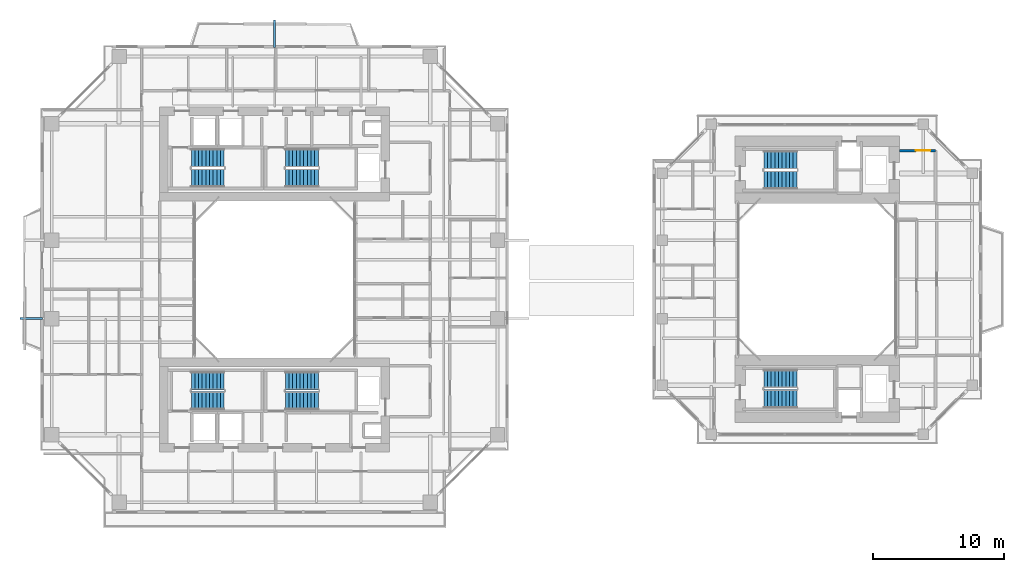
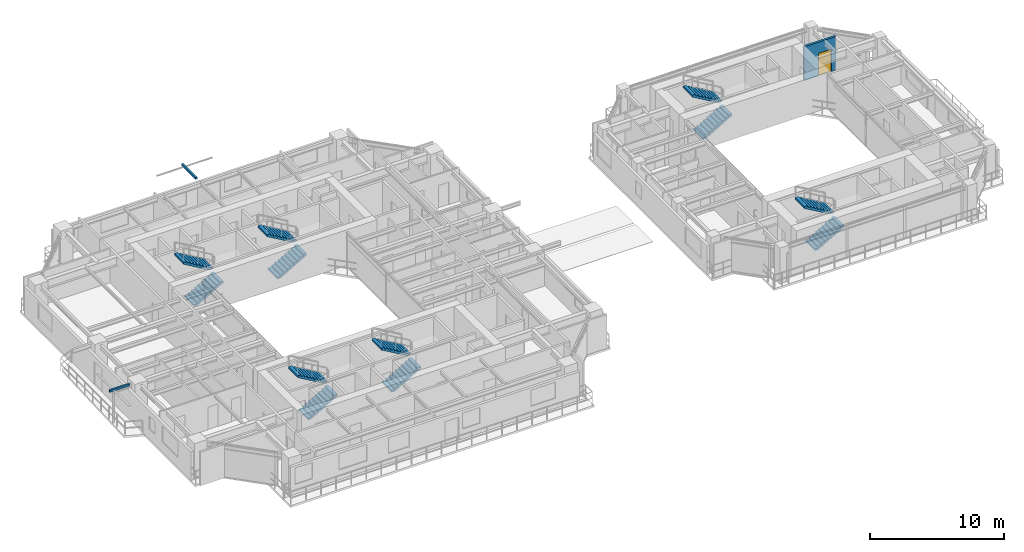
# One storey, part 19 of 23: 12 stair flights, 2 discrete accessories, 1 door, 1 wall, 1 opening, 6 elements without a shape of their own.
"""IFC4 building model written with IfcOpenShell, lengths in metres."""

import ifcopenshell
import ifcopenshell.guid

model = None  # the IFC model being written
_history = None  # IfcOwnerHistory: only IFC2X3 demands one
_inside = {}  # id of a spatial element -> (the spatial element, [elements in it])
_under = {}  # id of a project, library or spatial element -> (it, [spatial elements below it])
_declared = {}  # id of a project -> (the project, [libraries it declares])
_typed = {}  # id of a type object -> (the type object, [elements of that type])
_made_of = {}  # id of a material, layer set ... -> (it, [elements and type objects made of it])


def new_model(schema):
    """Start an empty IFC model of exactly this schema.

    Asked for "IFC4X3", IfcOpenShell would pick the latest addendum, in which some entities
    have other attributes; the version numbers below select the first issue.
    IFC2X3 requires an IfcOwnerHistory on every rooted entity: one is made here for all.
    """
    global model, _history
    if schema == "IFC4X3":
        model = ifcopenshell.file(schema_version=(4, 3, 0, 0))
    else:
        model = ifcopenshell.file(schema=schema)
    _inside.clear()
    _under.clear()
    _declared.clear()
    _typed.clear()
    _made_of.clear()
    _history = None
    if model.schema == "IFC2X3":
        org = make("IfcOrganization", Name="unknown")
        user = make(
            "IfcPersonAndOrganization",
            ThePerson=make("IfcPerson", FamilyName="unknown"),
            TheOrganization=org,
        )
        app = make(
            "IfcApplication",
            ApplicationDeveloper=org,
            Version="unknown",
            ApplicationFullName="unknown",
            ApplicationIdentifier="unknown",
        )
        _history = make(
            "IfcOwnerHistory",
            OwningUser=user,
            OwningApplication=app,
            ChangeAction="ADDED",
            CreationDate=0,
        )
    return model


def make(cls, **values):
    """One entity of the class cls with the attributes given. An attribute that is None is left unset."""
    return model.create_entity(
        cls, **{name: value for name, value in values.items() if value is not None}
    )


def rooted(cls, **values):
    """An entity with a GlobalId (a new one), such as an element, a storey or a relation."""
    return make(cls, GlobalId=ifcopenshell.guid.new(), OwnerHistory=_history, **values)


def si_unit(unit_type, name, prefix=None):
    """IfcSIUnit, for example si_unit("LENGTHUNIT", "METRE", prefix="MILLI")."""
    return make("IfcSIUnit", UnitType=unit_type, Prefix=prefix, Name=name)


def assignment(units):
    """IfcUnitAssignment: the units of a project."""
    return None if units is None else make("IfcUnitAssignment", Units=units)


def point(xyz):
    """IfcCartesianPoint."""
    return None if xyz is None else make("IfcCartesianPoint", Coordinates=xyz)


def direction(xyz):
    """IfcDirection."""
    return None if xyz is None else make("IfcDirection", DirectionRatios=xyz)


def frame(location, z_axis=None, x_axis=None):
    """IfcAxis2Placement3D, a coordinate frame: its origin and axes. An axis left out is left unset."""
    return make(
        "IfcAxis2Placement3D",
        Location=point(location),
        Axis=direction(z_axis),
        RefDirection=direction(x_axis),
    )


def frame_2d(location, x_axis=None):
    """IfcAxis2Placement2D, a coordinate frame in the plane: its origin and x axis."""
    return make(
        "IfcAxis2Placement2D", Location=point(location), RefDirection=direction(x_axis)
    )


def origin():
    """The frame at (0, 0, 0) with its axes left unset."""
    return frame((0.0, 0.0, 0.0))


def origin_2d():
    """The frame at (0, 0) in the plane with its x axis left unset."""
    return frame_2d((0.0, 0.0))


def place(relative_to, where):
    """IfcLocalPlacement: puts the frame where relative to a parent placement (None: the world)."""
    return make(
        "IfcLocalPlacement", PlacementRelTo=relative_to, RelativePlacement=where
    )


def context(
    kind, dimensions, precision=None, world=None, true_north=None, identifier=None
):
    """IfcGeometricRepresentationContext, for example the 3D "Model" context."""
    return make(
        "IfcGeometricRepresentationContext",
        ContextIdentifier=identifier,
        ContextType=kind,
        CoordinateSpaceDimension=dimensions,
        Precision=precision,
        WorldCoordinateSystem=world,
        TrueNorth=true_north,
    )


def subcontext(parent, identifier, kind, view, scale=None):
    """IfcGeometricRepresentationSubContext, for example "Body" below "Model"."""
    return make(
        "IfcGeometricRepresentationSubContext",
        ContextIdentifier=identifier,
        ContextType=kind,
        ParentContext=parent,
        TargetScale=scale,
        TargetView=view,
    )


def project(units=None, contexts=None):
    """IfcProject with its units and contexts."""
    return rooted(
        "IfcProject",
        Name="project",
        RepresentationContexts=contexts,
        UnitsInContext=assignment(units),
    )


def spatial(cls, under=None, at=None, **own):
    """A site, building, storey or space (cls), placed at a placement, below another one or the project."""
    s = rooted(cls, ObjectPlacement=at, **own)
    if under is not None:
        _under.setdefault(under.id(), (under, []))[1].append(s)
    return s


def polyline(points):
    """IfcPolyline through the points."""
    return make("IfcPolyline", Points=[point(p) for p in points])


def profile(cls, at=None, kind="AREA", **sizes):
    """A parametric profile (cls). Its sizes go by their IFC names, for example OverallWidth=200.0."""
    return make(cls, ProfileType=kind, Position=at, **sizes)


def rectangle(**sizes):
    """IfcRectangleProfileDef."""
    return profile("IfcRectangleProfileDef", **sizes)


def outline(outer, holes=None, kind="AREA"):
    """IfcArbitraryClosedProfileDef: a profile drawn as a closed curve; with holes, ...WithVoids."""
    if holes is None:
        return make("IfcArbitraryClosedProfileDef", ProfileType=kind, OuterCurve=outer)
    return make(
        "IfcArbitraryProfileDefWithVoids",
        ProfileType=kind,
        OuterCurve=outer,
        InnerCurves=holes,
    )


def extrude(swept, where, along, depth):
    """IfcExtrudedAreaSolid: the profile swept, set in the frame where, extruded along a direction by depth."""
    return make(
        "IfcExtrudedAreaSolid",
        SweptArea=swept,
        Position=where,
        ExtrudedDirection=direction(along),
        Depth=depth,
    )


def shape(context_of_items, identifier, shape_type, items):
    """IfcShapeRepresentation: the items that make up one representation, for example the "Body"."""
    return make(
        "IfcShapeRepresentation",
        ContextOfItems=context_of_items,
        RepresentationIdentifier=identifier,
        RepresentationType=shape_type,
        Items=items,
    )


def source(mapping_origin, context_of_items, identifier, shape_type, items):
    """IfcRepresentationMap: a shape defined once, which mapped items show again and again."""
    return make(
        "IfcRepresentationMap",
        MappingOrigin=mapping_origin,
        MappedRepresentation=shape(context_of_items, identifier, shape_type, items),
    )


def transform(
    local_origin,
    x_axis=None,
    y_axis=None,
    z_axis=None,
    scale=None,
    scale2=None,
    scale3=None,
    uniform=True,
):
    """IfcCartesianTransformationOperator3D, or its non-uniform kind. x_axis, y_axis, z_axis: its Axis1, 2, 3."""
    if uniform:
        return make(
            "IfcCartesianTransformationOperator3D",
            Axis1=direction(x_axis),
            Axis2=direction(y_axis),
            LocalOrigin=point(local_origin),
            Scale=scale,
            Axis3=direction(z_axis),
        )
    return make(
        "IfcCartesianTransformationOperator3DnonUniform",
        Axis1=direction(x_axis),
        Axis2=direction(y_axis),
        LocalOrigin=point(local_origin),
        Scale=scale,
        Axis3=direction(z_axis),
        Scale2=scale2,
        Scale3=scale3,
    )


def mapped(mapping_source, mapping_target):
    """IfcMappedItem: shows the shape of a source again, moved by a transform."""
    return make(
        "IfcMappedItem", MappingSource=mapping_source, MappingTarget=mapping_target
    )


def material(Name=None, Category=None):
    """IfcMaterial."""
    return make("IfcMaterial", Name=Name, Category=Category)


def layer(
    of_material, thickness, ventilated=None, Name=None, Category=None, Priority=None
):
    """IfcMaterialLayer: one layer of a wall or slab, of a material (None: an air gap)."""
    return make(
        "IfcMaterialLayer",
        Material=of_material,
        LayerThickness=thickness,
        IsVentilated=ventilated,
        Name=Name,
        Category=Category,
        Priority=Priority,
    )


def layer_set(layers, Name=None):
    """IfcMaterialLayerSet."""
    return make("IfcMaterialLayerSet", MaterialLayers=layers, LayerSetName=Name)


def made_of(thing, what):
    """Note that an element or type object is made of a material, layer set ...; save() writes the relation."""
    if what is not None:
        _made_of.setdefault(what.id(), (what, []))[1].append(thing)
    return thing


def type_object(cls, material=None, **own):
    """A type object (cls), such as IfcWallType, which elements share."""
    return made_of(rooted(cls, **own), material)


def element(
    cls,
    number,
    at=None,
    inside=None,
    cuts=None,
    type_object=None,
    material=None,
    context=None,
    identifier="Body",
    shape_type=None,
    held_by="IfcProductDefinitionShape",
    body=None,
    shapes=None,
    **own,
):
    """One element of the class cls, such as IfcWall. Its Tag is "e" and its number.

    at: its placement. inside: the storey or other place that contains it. cuts: it is an
    opening in that element (IfcRelVoidsElement). A single representation is given by context,
    identifier, shape_type and body (its items); several are given by shapes. held_by: the class
    of the entity that holds the representations. save() writes the other relations.
    """
    e = rooted(cls, Tag="e%d" % number, ObjectPlacement=at, **own)
    if body is not None:
        shapes = [shape(context, identifier, shape_type, body)]
    if shapes is not None:
        e.Representation = make(held_by, Representations=shapes)
    if inside is not None:
        _inside.setdefault(inside.id(), (inside, []))[1].append(e)
    if cuts is not None:
        rooted(
            "IfcRelVoidsElement", RelatingBuildingElement=cuts, RelatedOpeningElement=e
        )
    if type_object is not None:
        _typed.setdefault(type_object.id(), (type_object, []))[1].append(e)
    return made_of(e, material)


def fill(opening, filler):
    """IfcRelFillsElement: the door or window that sits in an opening."""
    return rooted(
        "IfcRelFillsElement",
        RelatingOpeningElement=opening,
        RelatedBuildingElement=filler,
    )


def aggregate(whole, parts):
    """IfcRelAggregates: a whole, such as a stair, and the parts it consists of."""
    return rooted("IfcRelAggregates", RelatingObject=whole, RelatedObjects=parts)


def save(model, path):
    """Write the relations noted so far, then the file.

    IfcRelAggregates (storeys below a building ...), IfcRelContainedInSpatialStructure (elements
    in a storey), IfcRelDefinesByType, IfcRelAssociatesMaterial and IfcRelDeclares: one each for
    every whole, place, type object, material and project.
    """
    for whole, parts in _under.values():
        aggregate(whole, parts)
    for where, things in _inside.values():
        rooted(
            "IfcRelContainedInSpatialStructure",
            RelatedElements=things,
            RelatingStructure=where,
        )
    for kind, things in _typed.values():
        rooted("IfcRelDefinesByType", RelatedObjects=things, RelatingType=kind)
    for what, things in _made_of.values():
        rooted("IfcRelAssociatesMaterial", RelatedObjects=things, RelatingMaterial=what)
    for by, libraries in _declared.values():
        rooted("IfcRelDeclares", RelatingContext=by, RelatedDefinitions=libraries)
    model.write(path)


model = new_model("IFC4")

# Units and contexts
model_context = context("Model", 3, precision=1e-05, world=origin(), true_north=direction((0.0, 1.0)))
body_context = subcontext(model_context, "Body", "Model", "MODEL_VIEW")
ifc_project = project(units=[si_unit("LENGTHUNIT", "METRE"), si_unit("AREAUNIT", "SQUARE_METRE"), si_unit("VOLUMEUNIT", "CUBIC_METRE"), si_unit("PLANEANGLEUNIT", "RADIAN"), si_unit("MASSUNIT", "GRAM", prefix="KILO"), si_unit("THERMODYNAMICTEMPERATUREUNIT", "KELVIN"), si_unit("POWERUNIT", "WATT")], contexts=[model_context])

# Site, building, storey
site_placement = place(None, origin())
site = spatial("IfcSite", under=ifc_project, at=site_placement, CompositionType="ELEMENT")
building_placement = place(site_placement, origin())
building = spatial("IfcBuilding", under=site, at=building_placement, Name="Qiaomeng Ring Towers", CompositionType="ELEMENT")
storey_placement = place(building_placement, frame((0.0, 0.0, 97.0)))
storey = spatial("IfcBuildingStorey", under=building, at=storey_placement, Name="L27", CompositionType="ELEMENT", Elevation=97.0)

# Wall, opening, door
ifc_material_1 = material(Name="Autoclaved aerated concrete block", Category="concrete")
ifc_layer = layer(ifc_material_1, 0.199951171875, Name="Autoclaved aerated concrete block")
ifc_layer_set = layer_set([ifc_layer], Name="Autoclaved aerated concrete block")
wall_type = type_object("IfcWallType", Name="ARC-WL-PW1", PredefinedType="PARTITIONING", material=ifc_layer_set)
wall_placement = place(storey_placement, frame((66.800048828125, 32.85009765625, 0.0), z_axis=(0.0, 0.0, 1.0), x_axis=(1.0, 0.0, 0.0)))
wall = element("IfcWall", 1, at=wall_placement, inside=storey, type_object=wall_type, Name="L27 Interior Wall PW1", PredefinedType="PARTITIONING", context=body_context, shape_type="SweptSolid", body=[
    extrude(rectangle(XDim=2.75, YDim=0.199951171875, at=frame_2d((1.375, 0.0))), origin(), (0.0, 0.0, 1.0), 3.070068359375),
])
opening_placement = place(wall_placement, frame((1.25, 0.0, 0.0)))
opening = element("IfcOpeningElement", 2, at=opening_placement, cuts=wall, Name="Opening FD3", PredefinedType="OPENING", context=body_context, shape_type="SweptSolid", body=[
    extrude(rectangle(XDim=1.10009765625, YDim=2.050048828125, at=frame_2d((0.550048828125, 1.02490234375))), frame((0.0, 0.10986328125, 0.0), z_axis=(0.0, -1.0, 0.0), x_axis=(1.0, 0.0, 0.0)), (0.0, 0.0, 1.0), 0.219970703125),
])
ifc_material_2 = material(Name="Galvanised steel", Category="steel")
door_type = type_object("IfcDoorType", Name="ARC-DR-FD3", OperationType="NOTDEFINED", PredefinedType="DOOR", material=ifc_material_2)
shared_shape_1 = source(origin(), body_context, "Body", "SweptSolid", [
    extrude(rectangle(XDim=1.10009765625, YDim=2.050048828125, at=frame_2d((0.550048828125, 1.02490234375))), frame((0.0, 0.02490234375, 0.0), z_axis=(0.0, -1.0, 0.0), x_axis=(1.0, 0.0, 0.0)), (0.0, 0.0, 1.0), 0.050048828125),
])
door_placement = place(opening_placement, origin())
door = element("IfcDoor", 3, at=door_placement, inside=storey, type_object=door_type, Name="L27 Door FD3", OperationType="SINGLE_SWING_LEFT", OverallHeight=2.050048828125, OverallWidth=1.10009765625, PredefinedType="DOOR", context=body_context, shape_type="MappedRepresentation", body=[
    mapped(shared_shape_1, transform((0.0, 0.0, 0.0), x_axis=(1.0, 0.0, 0.0), y_axis=(0.0, 1.0, 0.0), z_axis=(0.0, 0.0, 1.0), scale=1.0)),
])
fill(opening, door)

# Stair, stair flights
ifc_material_3 = material(Name="Precast concrete C40", Category="concrete")
stair_type = type_object("IfcStairType", Name="ARC-ST-325", PredefinedType="HALF_TURN_STAIR", material=ifc_material_3)
stair_1_placement = place(storey_placement, origin())
stair_1 = element("IfcStair", 4, at=stair_1_placement, inside=storey, type_object=stair_type, Name="L27 Tower 1 North Stair 1", PredefinedType="HALF_TURN_STAIR")
stair_flight_type = type_object("IfcStairFlightType", Name="ARC-ST-325-FL", PredefinedType="STRAIGHT", material=ifc_material_3)
shared_shape_2 = source(origin(), body_context, "Body", "SweptSolid", [
    extrude(outline(polyline([(0.0, 0.0), (0.0, 0.16259765625), (0.280029296875, 0.16259765625), (0.280029296875, 0.324951171875), (0.56005859375, 0.324951171875), (0.56005859375, 0.487548828125), (0.840087890625, 0.487548828125), (0.840087890625, 0.64990234375), (1.1201171875, 0.64990234375), (1.1201171875, 0.8125), (1.39990234375, 0.8125), (1.39990234375, 0.97509765625), (1.679931640625, 0.97509765625), (1.679931640625, 1.137451171875), (1.9599609375, 1.137451171875), (1.9599609375, 1.300048828125), (2.239990234375, 1.300048828125), (2.239990234375, 1.46240234375), (2.52001953125, 1.46240234375), (2.52001953125, 1.625), (2.52001953125, 1.2890625), (0.298583984375, 0.0), (0.0, 0.0)])), frame((0.0, 0.699951171875, 0.0), z_axis=(0.0, -1.0, 0.0), x_axis=(1.0, 0.0, 0.0)), (0.0, 0.0, 1.0), 1.39990234375),
])
stair_flight_1_placement = place(storey_placement, frame((12.6201171875, 30.75, 0.0), z_axis=(0.0, 0.0, 1.0), x_axis=(1.0, 0.0, 0.0)))
stair_flight_1 = element("IfcStairFlight", 5, at=stair_flight_1_placement, type_object=stair_flight_type, Name="ST1 flight 1", NumberOfRisers=10, NumberOfTreads=9, PredefinedType="STRAIGHT", RiserHeight=0.1625, TreadLength=0.28, context=body_context, shape_type="MappedRepresentation", body=[
    mapped(shared_shape_2, transform((0.0, 0.0, 0.0), x_axis=(1.0, 0.0, 0.0), y_axis=(0.0, 1.0, 0.0), z_axis=(0.0, 0.0, 1.0), scale=1.0)),
])
stair_flight_2_placement = place(storey_placement, frame((15.139892578125, 32.2900390625, 1.625), z_axis=(0.0, 0.0, 1.0), x_axis=(-1.0, 0.0, 0.0)))
stair_flight_2 = element("IfcStairFlight", 6, at=stair_flight_2_placement, type_object=stair_flight_type, Name="ST1 flight 2", NumberOfRisers=10, NumberOfTreads=9, PredefinedType="STRAIGHT", RiserHeight=0.1625, TreadLength=0.28, context=body_context, shape_type="MappedRepresentation", body=[
    mapped(shared_shape_2, transform((0.0, 0.0, 0.0), x_axis=(1.0, 0.0, 0.0), y_axis=(0.0, 1.0, 0.0), z_axis=(0.0, 0.0, 1.0), scale=1.0)),
])
aggregate(stair_1, [stair_flight_1, stair_flight_2])

stair_2_placement = place(storey_placement, origin())
stair_2 = element("IfcStair", 7, at=stair_2_placement, inside=storey, type_object=stair_type, Name="L27 Tower 1 North Stair 2", PredefinedType="HALF_TURN_STAIR")
stair_flight_3_placement = place(storey_placement, frame((19.820068359375, 30.75, 0.0), z_axis=(0.0, 0.0, 1.0), x_axis=(1.0, 0.0, 0.0)))
stair_flight_3 = element("IfcStairFlight", 8, at=stair_flight_3_placement, type_object=stair_flight_type, Name="ST2 flight 1", NumberOfRisers=10, NumberOfTreads=9, PredefinedType="STRAIGHT", RiserHeight=0.1625, TreadLength=0.28, context=body_context, shape_type="MappedRepresentation", body=[
    mapped(shared_shape_2, transform((0.0, 0.0, 0.0), x_axis=(1.0, 0.0, 0.0), y_axis=(0.0, 1.0, 0.0), z_axis=(0.0, 0.0, 1.0), scale=1.0)),
])
stair_flight_4_placement = place(storey_placement, frame((22.340087890625, 32.2900390625, 1.625), z_axis=(0.0, 0.0, 1.0), x_axis=(-1.0, 0.0, 0.0)))
stair_flight_4 = element("IfcStairFlight", 9, at=stair_flight_4_placement, type_object=stair_flight_type, Name="ST2 flight 2", NumberOfRisers=10, NumberOfTreads=9, PredefinedType="STRAIGHT", RiserHeight=0.1625, TreadLength=0.28, context=body_context, shape_type="MappedRepresentation", body=[
    mapped(shared_shape_2, transform((0.0, 0.0, 0.0), x_axis=(1.0, 0.0, 0.0), y_axis=(0.0, 1.0, 0.0), z_axis=(0.0, 0.0, 1.0), scale=1.0)),
])
aggregate(stair_2, [stair_flight_3, stair_flight_4])

stair_3_placement = place(storey_placement, origin())
stair_3 = element("IfcStair", 10, at=stair_3_placement, inside=storey, type_object=stair_type, Name="L27 Tower 1 South Stair 3", PredefinedType="HALF_TURN_STAIR")
stair_flight_5_placement = place(storey_placement, frame((12.6201171875, 13.7099609375, 0.0), z_axis=(0.0, 0.0, 1.0), x_axis=(1.0, 0.0, 0.0)))
stair_flight_5 = element("IfcStairFlight", 11, at=stair_flight_5_placement, type_object=stair_flight_type, Name="ST3 flight 1", NumberOfRisers=10, NumberOfTreads=9, PredefinedType="STRAIGHT", RiserHeight=0.1625, TreadLength=0.28, context=body_context, shape_type="MappedRepresentation", body=[
    mapped(shared_shape_2, transform((0.0, 0.0, 0.0), x_axis=(1.0, 0.0, 0.0), y_axis=(0.0, 1.0, 0.0), z_axis=(0.0, 0.0, 1.0), scale=1.0)),
])
stair_flight_6_placement = place(storey_placement, frame((15.139892578125, 15.25, 1.625), z_axis=(0.0, 0.0, 1.0), x_axis=(-1.0, 0.0, 0.0)))
stair_flight_6 = element("IfcStairFlight", 12, at=stair_flight_6_placement, type_object=stair_flight_type, Name="ST3 flight 2", NumberOfRisers=10, NumberOfTreads=9, PredefinedType="STRAIGHT", RiserHeight=0.1625, TreadLength=0.28, context=body_context, shape_type="MappedRepresentation", body=[
    mapped(shared_shape_2, transform((0.0, 0.0, 0.0), x_axis=(1.0, 0.0, 0.0), y_axis=(0.0, 1.0, 0.0), z_axis=(0.0, 0.0, 1.0), scale=1.0)),
])
aggregate(stair_3, [stair_flight_5, stair_flight_6])

stair_4_placement = place(storey_placement, origin())
stair_4 = element("IfcStair", 13, at=stair_4_placement, inside=storey, type_object=stair_type, Name="L27 Tower 1 South Stair 4", PredefinedType="HALF_TURN_STAIR")
stair_flight_7_placement = place(storey_placement, frame((19.820068359375, 13.7099609375, 0.0), z_axis=(0.0, 0.0, 1.0), x_axis=(1.0, 0.0, 0.0)))
stair_flight_7 = element("IfcStairFlight", 14, at=stair_flight_7_placement, type_object=stair_flight_type, Name="ST4 flight 1", NumberOfRisers=10, NumberOfTreads=9, PredefinedType="STRAIGHT", RiserHeight=0.1625, TreadLength=0.28, context=body_context, shape_type="MappedRepresentation", body=[
    mapped(shared_shape_2, transform((0.0, 0.0, 0.0), x_axis=(1.0, 0.0, 0.0), y_axis=(0.0, 1.0, 0.0), z_axis=(0.0, 0.0, 1.0), scale=1.0)),
])
stair_flight_8_placement = place(storey_placement, frame((22.340087890625, 15.25, 1.625), z_axis=(0.0, 0.0, 1.0), x_axis=(-1.0, 0.0, 0.0)))
stair_flight_8 = element("IfcStairFlight", 15, at=stair_flight_8_placement, type_object=stair_flight_type, Name="ST4 flight 2", NumberOfRisers=10, NumberOfTreads=9, PredefinedType="STRAIGHT", RiserHeight=0.1625, TreadLength=0.28, context=body_context, shape_type="MappedRepresentation", body=[
    mapped(shared_shape_2, transform((0.0, 0.0, 0.0), x_axis=(1.0, 0.0, 0.0), y_axis=(0.0, 1.0, 0.0), z_axis=(0.0, 0.0, 1.0), scale=1.0)),
])
aggregate(stair_4, [stair_flight_7, stair_flight_8])

stair_5_placement = place(storey_placement, origin())
stair_5 = element("IfcStair", 16, at=stair_5_placement, inside=storey, type_object=stair_type, Name="L27 Companion North Stair 5", PredefinedType="HALF_TURN_STAIR")
stair_flight_9_placement = place(storey_placement, frame((56.419921875, 30.60009765625, 0.0), z_axis=(0.0, 0.0, 1.0), x_axis=(1.0, 0.0, 0.0)))
stair_flight_9 = element("IfcStairFlight", 17, at=stair_flight_9_placement, type_object=stair_flight_type, Name="ST5 flight 1", NumberOfRisers=10, NumberOfTreads=9, PredefinedType="STRAIGHT", RiserHeight=0.1625, TreadLength=0.28, context=body_context, shape_type="MappedRepresentation", body=[
    mapped(shared_shape_2, transform((0.0, 0.0, 0.0), x_axis=(1.0, 0.0, 0.0), y_axis=(0.0, 1.0, 0.0), z_axis=(0.0, 0.0, 1.0), scale=1.0)),
])
stair_flight_10_placement = place(storey_placement, frame((58.93994140625, 32.139892578125, 1.625), z_axis=(0.0, 0.0, 1.0), x_axis=(-1.0, 0.0, 0.0)))
stair_flight_10 = element("IfcStairFlight", 18, at=stair_flight_10_placement, type_object=stair_flight_type, Name="ST5 flight 2", NumberOfRisers=10, NumberOfTreads=9, PredefinedType="STRAIGHT", RiserHeight=0.1625, TreadLength=0.28, context=body_context, shape_type="MappedRepresentation", body=[
    mapped(shared_shape_2, transform((0.0, 0.0, 0.0), x_axis=(1.0, 0.0, 0.0), y_axis=(0.0, 1.0, 0.0), z_axis=(0.0, 0.0, 1.0), scale=1.0)),
])
aggregate(stair_5, [stair_flight_9, stair_flight_10])

stair_6_placement = place(storey_placement, origin())
stair_6 = element("IfcStair", 19, at=stair_6_placement, inside=storey, type_object=stair_type, Name="L27 Companion South Stair 6", PredefinedType="HALF_TURN_STAIR")
stair_flight_11_placement = place(storey_placement, frame((56.419921875, 13.860107421875, 0.0), z_axis=(0.0, 0.0, 1.0), x_axis=(1.0, 0.0, 0.0)))
stair_flight_11 = element("IfcStairFlight", 20, at=stair_flight_11_placement, type_object=stair_flight_type, Name="ST6 flight 1", NumberOfRisers=10, NumberOfTreads=9, PredefinedType="STRAIGHT", RiserHeight=0.1625, TreadLength=0.28, context=body_context, shape_type="MappedRepresentation", body=[
    mapped(shared_shape_2, transform((0.0, 0.0, 0.0), x_axis=(1.0, 0.0, 0.0), y_axis=(0.0, 1.0, 0.0), z_axis=(0.0, 0.0, 1.0), scale=1.0)),
])
stair_flight_12_placement = place(storey_placement, frame((58.93994140625, 15.39990234375, 1.625), z_axis=(0.0, 0.0, 1.0), x_axis=(-1.0, 0.0, 0.0)))
stair_flight_12 = element("IfcStairFlight", 21, at=stair_flight_12_placement, type_object=stair_flight_type, Name="ST6 flight 2", NumberOfRisers=10, NumberOfTreads=9, PredefinedType="STRAIGHT", RiserHeight=0.1625, TreadLength=0.28, context=body_context, shape_type="MappedRepresentation", body=[
    mapped(shared_shape_2, transform((0.0, 0.0, 0.0), x_axis=(1.0, 0.0, 0.0), y_axis=(0.0, 1.0, 0.0), z_axis=(0.0, 0.0, 1.0), scale=1.0)),
])
aggregate(stair_6, [stair_flight_11, stair_flight_12])

# Discrete accessories
ifc_material_4 = material(Name="Stainless steel 316", Category="steel")
discrete_accessory_type = type_object("IfcDiscreteAccessoryType", Name="ARC-ACC-BRACKET", PredefinedType="BRACKET", material=ifc_material_4)
shared_shape_3 = source(origin(), body_context, "Body", "SweptSolid", [
    extrude(rectangle(XDim=0.159912109375, YDim=2.090087890625, at=origin_2d()), origin(), (0.0, 0.0, 1.0), 0.179931640625),
])
discrete_accessory_1_placement = place(storey_placement, frame((19.0, 41.794921875, 2.89990234375), z_axis=(0.0, 0.0, 1.0), x_axis=(1.0, 0.0, 0.0)))
element("IfcDiscreteAccessory", 22, at=discrete_accessory_1_placement, inside=storey, type_object=discrete_accessory_type, Name="L27 Stainless Outer-Skin Tie Bracket N", PredefinedType="BRACKET", context=body_context, shape_type="MappedRepresentation", body=[
    mapped(shared_shape_3, transform((0.0, 0.0, 0.0), x_axis=(1.0, 0.0, 0.0), y_axis=(0.0, 1.0, 0.0), z_axis=(0.0, 0.0, 1.0), scale=1.0)),
])
shared_shape_4 = source(origin(), body_context, "Body", "SweptSolid", [
    extrude(rectangle(XDim=1.72998046875, YDim=0.159912109375, at=origin_2d()), origin(), (0.0, 0.0, 1.0), 0.179931640625),
])
discrete_accessory_2_placement = place(storey_placement, frame((0.385009765625, 20.0, 2.89990234375), z_axis=(0.0, 0.0, 1.0), x_axis=(1.0, 0.0, 0.0)))
element("IfcDiscreteAccessory", 23, at=discrete_accessory_2_placement, inside=storey, type_object=discrete_accessory_type, Name="L27 Stainless Outer-Skin Tie Bracket W", PredefinedType="BRACKET", context=body_context, shape_type="MappedRepresentation", body=[
    mapped(shared_shape_4, transform((0.0, 0.0, 0.0), x_axis=(1.0, 0.0, 0.0), y_axis=(0.0, 1.0, 0.0), z_axis=(0.0, 0.0, 1.0), scale=1.0)),
])

save(model, "model.ifc")
